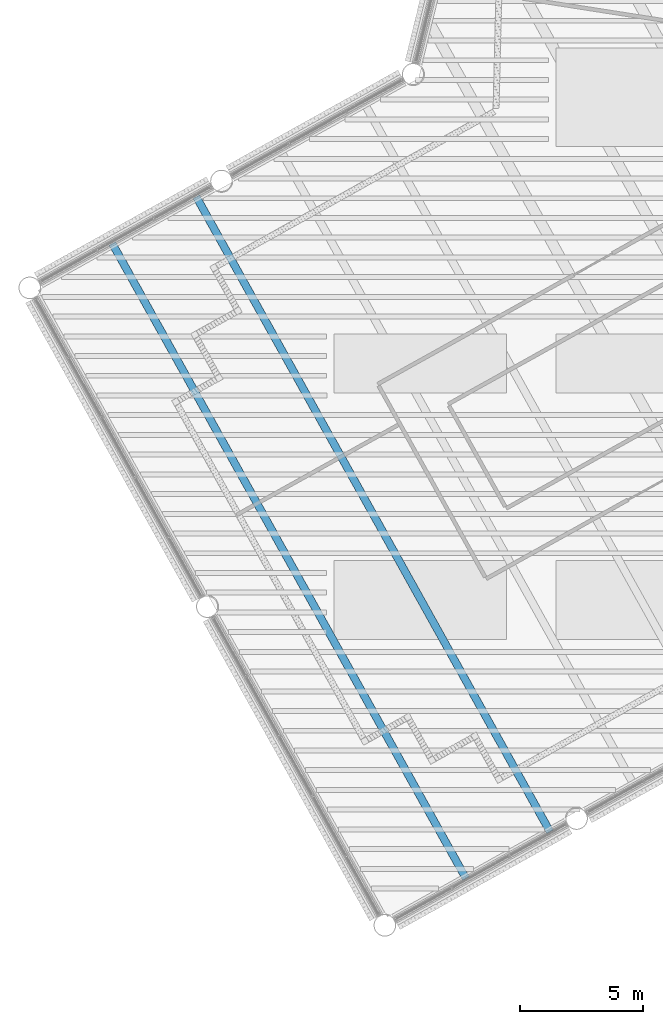
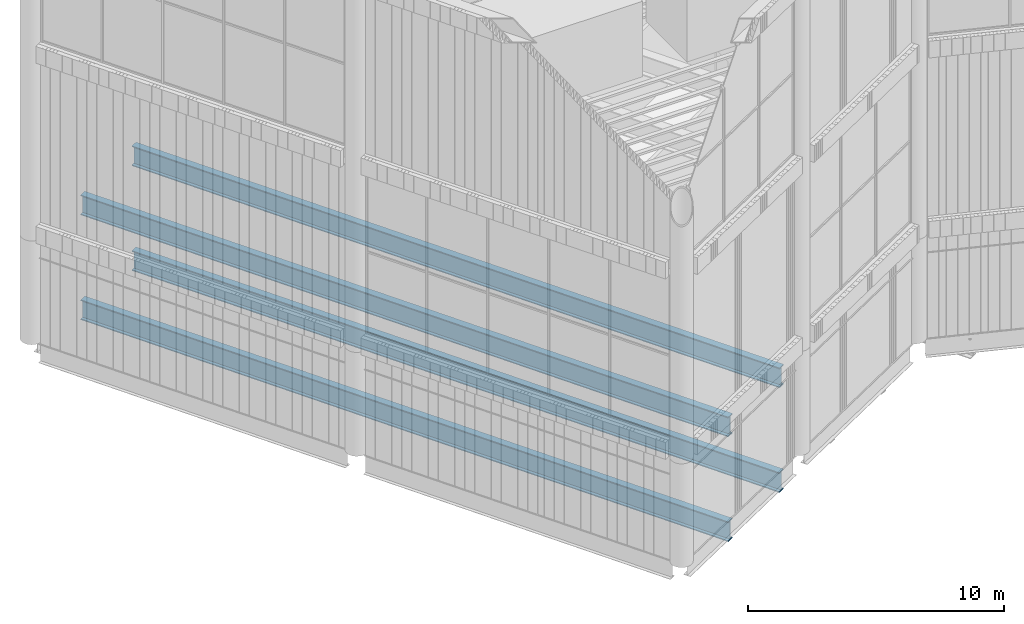
# One storey, part 16 of 117: 4 beams.
"""IFC4 building model written with IfcOpenShell, lengths in metres."""

import ifcopenshell
import ifcopenshell.guid

model = None  # the IFC model being written
_history = None  # IfcOwnerHistory: only IFC2X3 demands one
_inside = {}  # id of a spatial element -> (the spatial element, [elements in it])
_under = {}  # id of a project, library or spatial element -> (it, [spatial elements below it])
_declared = {}  # id of a project -> (the project, [libraries it declares])
_typed = {}  # id of a type object -> (the type object, [elements of that type])
_made_of = {}  # id of a material, layer set ... -> (it, [elements and type objects made of it])


def new_model(schema):
    """Start an empty IFC model of exactly this schema.

    Asked for "IFC4X3", IfcOpenShell would pick the latest addendum, in which some entities
    have other attributes; the version numbers below select the first issue.
    IFC2X3 requires an IfcOwnerHistory on every rooted entity: one is made here for all.
    """
    global model, _history
    if schema == "IFC4X3":
        model = ifcopenshell.file(schema_version=(4, 3, 0, 0))
    else:
        model = ifcopenshell.file(schema=schema)
    _inside.clear()
    _under.clear()
    _declared.clear()
    _typed.clear()
    _made_of.clear()
    _history = None
    if model.schema == "IFC2X3":
        org = make("IfcOrganization", Name="unknown")
        user = make(
            "IfcPersonAndOrganization",
            ThePerson=make("IfcPerson", FamilyName="unknown"),
            TheOrganization=org,
        )
        app = make(
            "IfcApplication",
            ApplicationDeveloper=org,
            Version="unknown",
            ApplicationFullName="unknown",
            ApplicationIdentifier="unknown",
        )
        _history = make(
            "IfcOwnerHistory",
            OwningUser=user,
            OwningApplication=app,
            ChangeAction="ADDED",
            CreationDate=0,
        )
    return model


def make(cls, **values):
    """One entity of the class cls with the attributes given. An attribute that is None is left unset."""
    return model.create_entity(
        cls, **{name: value for name, value in values.items() if value is not None}
    )


def rooted(cls, **values):
    """An entity with a GlobalId (a new one), such as an element, a storey or a relation."""
    return make(cls, GlobalId=ifcopenshell.guid.new(), OwnerHistory=_history, **values)


def si_unit(unit_type, name, prefix=None):
    """IfcSIUnit, for example si_unit("LENGTHUNIT", "METRE", prefix="MILLI")."""
    return make("IfcSIUnit", UnitType=unit_type, Prefix=prefix, Name=name)


def assignment(units):
    """IfcUnitAssignment: the units of a project."""
    return None if units is None else make("IfcUnitAssignment", Units=units)


def point(xyz):
    """IfcCartesianPoint."""
    return None if xyz is None else make("IfcCartesianPoint", Coordinates=xyz)


def direction(xyz):
    """IfcDirection."""
    return None if xyz is None else make("IfcDirection", DirectionRatios=xyz)


def frame(location, z_axis=None, x_axis=None):
    """IfcAxis2Placement3D, a coordinate frame: its origin and axes. An axis left out is left unset."""
    return make(
        "IfcAxis2Placement3D",
        Location=point(location),
        Axis=direction(z_axis),
        RefDirection=direction(x_axis),
    )


def frame_2d(location, x_axis=None):
    """IfcAxis2Placement2D, a coordinate frame in the plane: its origin and x axis."""
    return make(
        "IfcAxis2Placement2D", Location=point(location), RefDirection=direction(x_axis)
    )


def origin():
    """The frame at (0, 0, 0) with its axes left unset."""
    return frame((0.0, 0.0, 0.0))


def origin_2d():
    """The frame at (0, 0) in the plane with its x axis left unset."""
    return frame_2d((0.0, 0.0))


def place(relative_to, where):
    """IfcLocalPlacement: puts the frame where relative to a parent placement (None: the world)."""
    return make(
        "IfcLocalPlacement", PlacementRelTo=relative_to, RelativePlacement=where
    )


def context(
    kind, dimensions, precision=None, world=None, true_north=None, identifier=None
):
    """IfcGeometricRepresentationContext, for example the 3D "Model" context."""
    return make(
        "IfcGeometricRepresentationContext",
        ContextIdentifier=identifier,
        ContextType=kind,
        CoordinateSpaceDimension=dimensions,
        Precision=precision,
        WorldCoordinateSystem=world,
        TrueNorth=true_north,
    )


def subcontext(parent, identifier, kind, view, scale=None):
    """IfcGeometricRepresentationSubContext, for example "Body" below "Model"."""
    return make(
        "IfcGeometricRepresentationSubContext",
        ContextIdentifier=identifier,
        ContextType=kind,
        ParentContext=parent,
        TargetScale=scale,
        TargetView=view,
    )


def project(units=None, contexts=None):
    """IfcProject with its units and contexts."""
    return rooted(
        "IfcProject",
        Name="project",
        RepresentationContexts=contexts,
        UnitsInContext=assignment(units),
    )


def spatial(cls, under=None, at=None, **own):
    """A site, building, storey or space (cls), placed at a placement, below another one or the project."""
    s = rooted(cls, ObjectPlacement=at, **own)
    if under is not None:
        _under.setdefault(under.id(), (under, []))[1].append(s)
    return s


def profile(cls, at=None, kind="AREA", **sizes):
    """A parametric profile (cls). Its sizes go by their IFC names, for example OverallWidth=200.0."""
    return make(cls, ProfileType=kind, Position=at, **sizes)


def i_section(**sizes):
    """IfcIShapeProfileDef."""
    return profile("IfcIShapeProfileDef", **sizes)


def extrude(swept, where, along, depth):
    """IfcExtrudedAreaSolid: the profile swept, set in the frame where, extruded along a direction by depth."""
    return make(
        "IfcExtrudedAreaSolid",
        SweptArea=swept,
        Position=where,
        ExtrudedDirection=direction(along),
        Depth=depth,
    )


def shape(context_of_items, identifier, shape_type, items):
    """IfcShapeRepresentation: the items that make up one representation, for example the "Body"."""
    return make(
        "IfcShapeRepresentation",
        ContextOfItems=context_of_items,
        RepresentationIdentifier=identifier,
        RepresentationType=shape_type,
        Items=items,
    )


def material(Name=None, Category=None):
    """IfcMaterial."""
    return make("IfcMaterial", Name=Name, Category=Category)


def material_profile(
    of_material, cross_section, Name=None, Category=None, Priority=None
):
    """IfcMaterialProfile: a cross section and its material."""
    return make(
        "IfcMaterialProfile",
        Name=Name,
        Material=of_material,
        Profile=cross_section,
        Priority=Priority,
        Category=Category,
    )


def profile_set(profiles, Name=None, composite=None):
    """IfcMaterialProfileSet."""
    return make(
        "IfcMaterialProfileSet",
        Name=Name,
        MaterialProfiles=profiles,
        CompositeProfile=composite,
    )


def made_of(thing, what):
    """Note that an element or type object is made of a material, layer set ...; save() writes the relation."""
    if what is not None:
        _made_of.setdefault(what.id(), (what, []))[1].append(thing)
    return thing


def type_object(cls, material=None, **own):
    """A type object (cls), such as IfcWallType, which elements share."""
    return made_of(rooted(cls, **own), material)


def element(
    cls,
    number,
    at=None,
    inside=None,
    cuts=None,
    type_object=None,
    material=None,
    context=None,
    identifier="Body",
    shape_type=None,
    held_by="IfcProductDefinitionShape",
    body=None,
    shapes=None,
    **own,
):
    """One element of the class cls, such as IfcWall. Its Tag is "e" and its number.

    at: its placement. inside: the storey or other place that contains it. cuts: it is an
    opening in that element (IfcRelVoidsElement). A single representation is given by context,
    identifier, shape_type and body (its items); several are given by shapes. held_by: the class
    of the entity that holds the representations. save() writes the other relations.
    """
    e = rooted(cls, Tag="e%d" % number, ObjectPlacement=at, **own)
    if body is not None:
        shapes = [shape(context, identifier, shape_type, body)]
    if shapes is not None:
        e.Representation = make(held_by, Representations=shapes)
    if inside is not None:
        _inside.setdefault(inside.id(), (inside, []))[1].append(e)
    if cuts is not None:
        rooted(
            "IfcRelVoidsElement", RelatingBuildingElement=cuts, RelatedOpeningElement=e
        )
    if type_object is not None:
        _typed.setdefault(type_object.id(), (type_object, []))[1].append(e)
    return made_of(e, material)


def aggregate(whole, parts):
    """IfcRelAggregates: a whole, such as a stair, and the parts it consists of."""
    return rooted("IfcRelAggregates", RelatingObject=whole, RelatedObjects=parts)


def save(model, path):
    """Write the relations noted so far, then the file.

    IfcRelAggregates (storeys below a building ...), IfcRelContainedInSpatialStructure (elements
    in a storey), IfcRelDefinesByType, IfcRelAssociatesMaterial and IfcRelDeclares: one each for
    every whole, place, type object, material and project.
    """
    for whole, parts in _under.values():
        aggregate(whole, parts)
    for where, things in _inside.values():
        rooted(
            "IfcRelContainedInSpatialStructure",
            RelatedElements=things,
            RelatingStructure=where,
        )
    for kind, things in _typed.values():
        rooted("IfcRelDefinesByType", RelatedObjects=things, RelatingType=kind)
    for what, things in _made_of.values():
        rooted("IfcRelAssociatesMaterial", RelatedObjects=things, RelatingMaterial=what)
    for by, libraries in _declared.values():
        rooted("IfcRelDeclares", RelatingContext=by, RelatedDefinitions=libraries)
    model.write(path)


model = new_model("IFC4")

# Units and contexts
model_context = context("Model", 3, precision=1e-05, world=origin(), true_north=direction((0.0, 1.0)))
body_context = subcontext(model_context, "Body", "Model", "MODEL_VIEW")
ifc_project = project(units=[si_unit("LENGTHUNIT", "METRE"), si_unit("AREAUNIT", "SQUARE_METRE"), si_unit("VOLUMEUNIT", "CUBIC_METRE"), si_unit("PLANEANGLEUNIT", "RADIAN"), si_unit("MASSUNIT", "GRAM", prefix="KILO")], contexts=[model_context])

# Site, building, storey
site_placement = place(None, origin())
site = spatial("IfcSite", under=ifc_project, at=site_placement, CompositionType="ELEMENT")
building_placement = place(site_placement, origin())
building = spatial("IfcBuilding", under=site, at=building_placement, Name="Tarsis Ring Headquarters", CompositionType="ELEMENT")
storey_placement = place(building_placement, frame((0.0, 0.0, 403.60009765625)))
storey = spatial("IfcBuildingStorey", under=building, at=storey_placement, Name="L95", CompositionType="ELEMENT", Elevation=403.60009765625)

# Beams
ifc_material = material(Name="Structural steel S355", Category="steel")
ifc_material_profile = material_profile(ifc_material, i_section(OverallWidth=0.309814453125, OverallDepth=0.949951171875, WebThickness=0.0244140625, FlangeThickness=0.0439453125, at=origin_2d()), Name="W36x256")
ifc_profile_set = profile_set([ifc_material_profile], Name="Structural steel S355")
beam_type = type_object("IfcBeamType", Name="FB Floor beam W36x256", PredefinedType="JOIST", material=ifc_profile_set)
beam_1_placement = place(storey_placement, frame((-37.84033203125, -4.197509765625, -0.775146484375), z_axis=(0.486645488642, -0.873599546923, 0.0), x_axis=(0.873599546923, 0.486645488642, 0.0)))
element("IfcBeam", 1, at=beam_1_placement, inside=storey, type_object=beam_type, Name="Floor beam FB11", PredefinedType="JOIST", context=body_context, shape_type="SweptSolid", body=[
    extrude(i_section(OverallWidth=0.309814453125, OverallDepth=0.949951171875, WebThickness=0.0244140625, FlangeThickness=0.0439453125, at=origin_2d()), origin(), (0.0, 0.0, 1.0), 29.495361328125),
])
beam_2_placement = place(storey_placement, frame((-41.247314453125, -6.095458984375, -0.775146484375), z_axis=(0.486639171589, -0.873603065857, 0.0), x_axis=(0.873603065857, 0.486639171589, 0.0)))
element("IfcBeam", 2, at=beam_2_placement, inside=storey, type_object=beam_type, Name="Floor beam FB11", PredefinedType="JOIST", context=body_context, shape_type="SweptSolid", body=[
    extrude(i_section(OverallWidth=0.309814453125, OverallDepth=0.949951171875, WebThickness=0.0244140625, FlangeThickness=0.0439453125, at=origin_2d()), origin(), (0.0, 0.0, 1.0), 29.4951171875),
])
beam_3_placement = place(storey_placement, frame((-37.84033203125, -4.197509765625, 4.224853515625), z_axis=(0.486645488642, -0.873599546923, 0.0), x_axis=(0.873599546923, 0.486645488642, 0.0)))
element("IfcBeam", 3, at=beam_3_placement, inside=storey, type_object=beam_type, Name="Floor beam FB11", PredefinedType="JOIST", context=body_context, shape_type="SweptSolid", body=[
    extrude(i_section(OverallWidth=0.309814453125, OverallDepth=0.949951171875, WebThickness=0.0244140625, FlangeThickness=0.0439453125, at=origin_2d()), origin(), (0.0, 0.0, 1.0), 29.495361328125),
])
beam_4_placement = place(storey_placement, frame((-41.247314453125, -6.095458984375, 4.224853515625), z_axis=(0.486639171589, -0.873603065857, 0.0), x_axis=(0.873603065857, 0.486639171589, 0.0)))
element("IfcBeam", 4, at=beam_4_placement, inside=storey, type_object=beam_type, Name="Floor beam FB11", PredefinedType="JOIST", context=body_context, shape_type="SweptSolid", body=[
    extrude(i_section(OverallWidth=0.309814453125, OverallDepth=0.949951171875, WebThickness=0.0244140625, FlangeThickness=0.0439453125, at=origin_2d()), origin(), (0.0, 0.0, 1.0), 29.4951171875),
])

save(model, "model.ifc")
